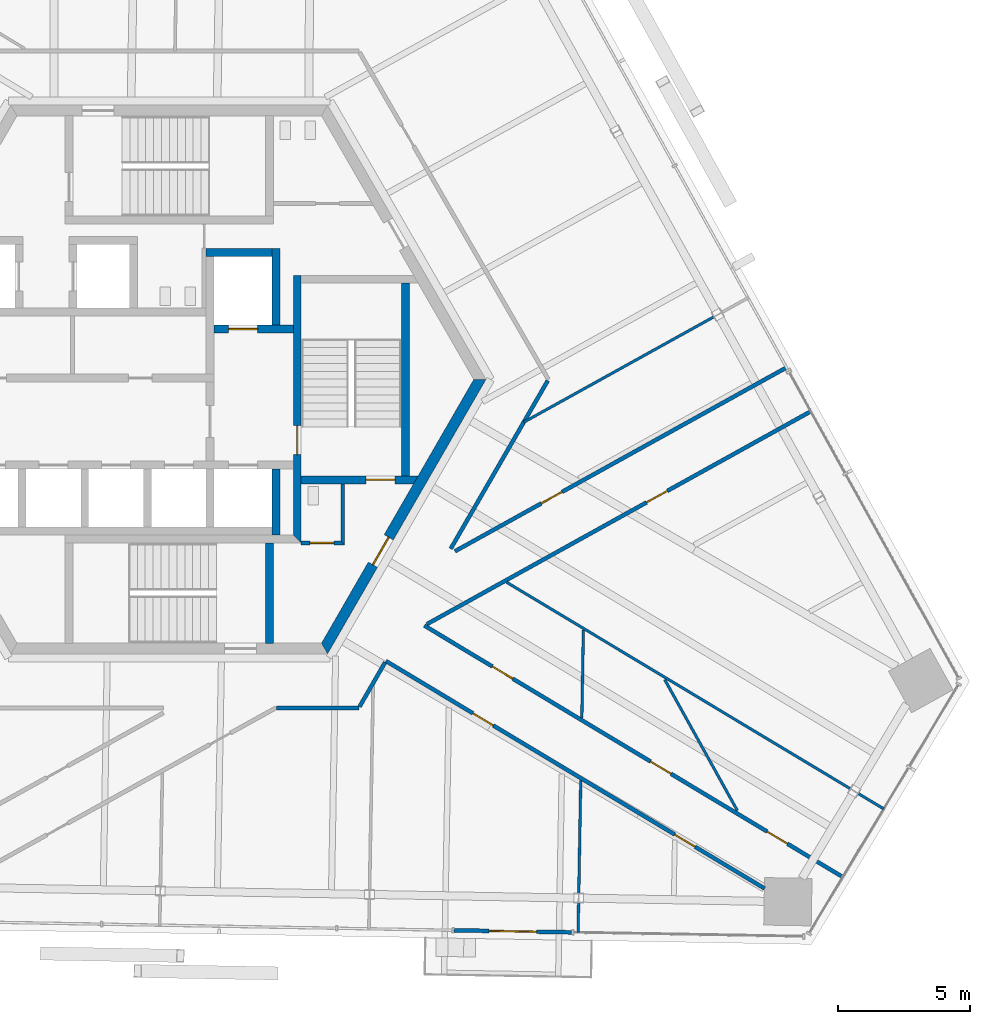
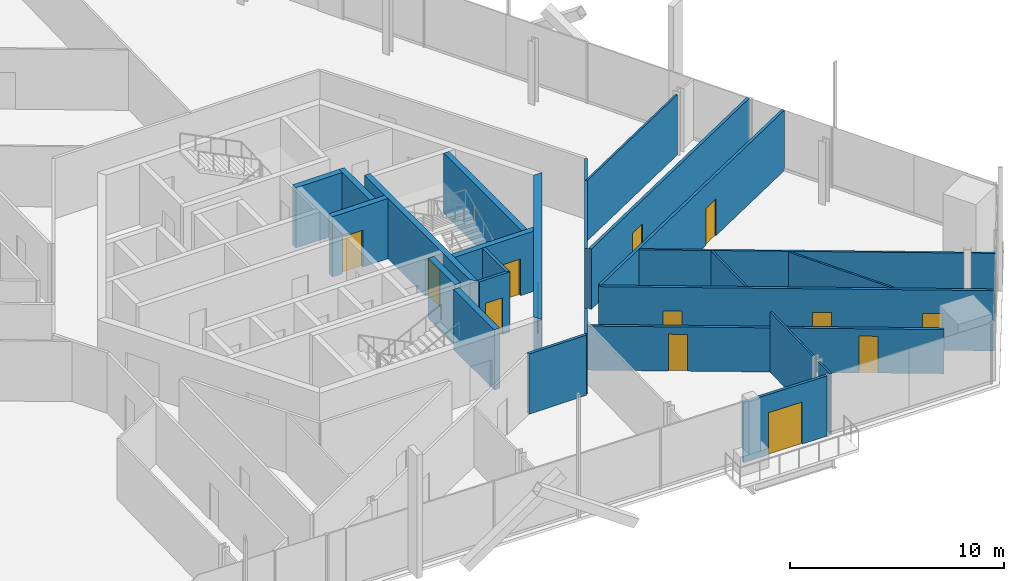
# One storey, part 13 of 20: 26 walls, 13 doors, 13 openings.
"""IFC4 building model written with IfcOpenShell, lengths in metres."""

import ifcopenshell
import ifcopenshell.guid

model = None  # the IFC model being written
_history = None  # IfcOwnerHistory: only IFC2X3 demands one
_inside = {}  # id of a spatial element -> (the spatial element, [elements in it])
_under = {}  # id of a project, library or spatial element -> (it, [spatial elements below it])
_declared = {}  # id of a project -> (the project, [libraries it declares])
_typed = {}  # id of a type object -> (the type object, [elements of that type])
_made_of = {}  # id of a material, layer set ... -> (it, [elements and type objects made of it])


def new_model(schema):
    """Start an empty IFC model of exactly this schema.

    Asked for "IFC4X3", IfcOpenShell would pick the latest addendum, in which some entities
    have other attributes; the version numbers below select the first issue.
    IFC2X3 requires an IfcOwnerHistory on every rooted entity: one is made here for all.
    """
    global model, _history
    if schema == "IFC4X3":
        model = ifcopenshell.file(schema_version=(4, 3, 0, 0))
    else:
        model = ifcopenshell.file(schema=schema)
    _inside.clear()
    _under.clear()
    _declared.clear()
    _typed.clear()
    _made_of.clear()
    _history = None
    if model.schema == "IFC2X3":
        org = make("IfcOrganization", Name="unknown")
        user = make(
            "IfcPersonAndOrganization",
            ThePerson=make("IfcPerson", FamilyName="unknown"),
            TheOrganization=org,
        )
        app = make(
            "IfcApplication",
            ApplicationDeveloper=org,
            Version="unknown",
            ApplicationFullName="unknown",
            ApplicationIdentifier="unknown",
        )
        _history = make(
            "IfcOwnerHistory",
            OwningUser=user,
            OwningApplication=app,
            ChangeAction="ADDED",
            CreationDate=0,
        )
    return model


def make(cls, **values):
    """One entity of the class cls with the attributes given. An attribute that is None is left unset."""
    return model.create_entity(
        cls, **{name: value for name, value in values.items() if value is not None}
    )


def rooted(cls, **values):
    """An entity with a GlobalId (a new one), such as an element, a storey or a relation."""
    return make(cls, GlobalId=ifcopenshell.guid.new(), OwnerHistory=_history, **values)


def si_unit(unit_type, name, prefix=None):
    """IfcSIUnit, for example si_unit("LENGTHUNIT", "METRE", prefix="MILLI")."""
    return make("IfcSIUnit", UnitType=unit_type, Prefix=prefix, Name=name)


def assignment(units):
    """IfcUnitAssignment: the units of a project."""
    return None if units is None else make("IfcUnitAssignment", Units=units)


def point(xyz):
    """IfcCartesianPoint."""
    return None if xyz is None else make("IfcCartesianPoint", Coordinates=xyz)


def direction(xyz):
    """IfcDirection."""
    return None if xyz is None else make("IfcDirection", DirectionRatios=xyz)


def frame(location, z_axis=None, x_axis=None):
    """IfcAxis2Placement3D, a coordinate frame: its origin and axes. An axis left out is left unset."""
    return make(
        "IfcAxis2Placement3D",
        Location=point(location),
        Axis=direction(z_axis),
        RefDirection=direction(x_axis),
    )


def frame_2d(location, x_axis=None):
    """IfcAxis2Placement2D, a coordinate frame in the plane: its origin and x axis."""
    return make(
        "IfcAxis2Placement2D", Location=point(location), RefDirection=direction(x_axis)
    )


def origin():
    """The frame at (0, 0, 0) with its axes left unset."""
    return frame((0.0, 0.0, 0.0))


def place(relative_to, where):
    """IfcLocalPlacement: puts the frame where relative to a parent placement (None: the world)."""
    return make(
        "IfcLocalPlacement", PlacementRelTo=relative_to, RelativePlacement=where
    )


def context(
    kind, dimensions, precision=None, world=None, true_north=None, identifier=None
):
    """IfcGeometricRepresentationContext, for example the 3D "Model" context."""
    return make(
        "IfcGeometricRepresentationContext",
        ContextIdentifier=identifier,
        ContextType=kind,
        CoordinateSpaceDimension=dimensions,
        Precision=precision,
        WorldCoordinateSystem=world,
        TrueNorth=true_north,
    )


def subcontext(parent, identifier, kind, view, scale=None):
    """IfcGeometricRepresentationSubContext, for example "Body" below "Model"."""
    return make(
        "IfcGeometricRepresentationSubContext",
        ContextIdentifier=identifier,
        ContextType=kind,
        ParentContext=parent,
        TargetScale=scale,
        TargetView=view,
    )


def project(units=None, contexts=None):
    """IfcProject with its units and contexts."""
    return rooted(
        "IfcProject",
        Name="project",
        RepresentationContexts=contexts,
        UnitsInContext=assignment(units),
    )


def spatial(cls, under=None, at=None, **own):
    """A site, building, storey or space (cls), placed at a placement, below another one or the project."""
    s = rooted(cls, ObjectPlacement=at, **own)
    if under is not None:
        _under.setdefault(under.id(), (under, []))[1].append(s)
    return s


def polyline(points):
    """IfcPolyline through the points."""
    return make("IfcPolyline", Points=[point(p) for p in points])


def profile(cls, at=None, kind="AREA", **sizes):
    """A parametric profile (cls). Its sizes go by their IFC names, for example OverallWidth=200.0."""
    return make(cls, ProfileType=kind, Position=at, **sizes)


def rectangle(**sizes):
    """IfcRectangleProfileDef."""
    return profile("IfcRectangleProfileDef", **sizes)


def outline(outer, holes=None, kind="AREA"):
    """IfcArbitraryClosedProfileDef: a profile drawn as a closed curve; with holes, ...WithVoids."""
    if holes is None:
        return make("IfcArbitraryClosedProfileDef", ProfileType=kind, OuterCurve=outer)
    return make(
        "IfcArbitraryProfileDefWithVoids",
        ProfileType=kind,
        OuterCurve=outer,
        InnerCurves=holes,
    )


def extrude(swept, where, along, depth):
    """IfcExtrudedAreaSolid: the profile swept, set in the frame where, extruded along a direction by depth."""
    return make(
        "IfcExtrudedAreaSolid",
        SweptArea=swept,
        Position=where,
        ExtrudedDirection=direction(along),
        Depth=depth,
    )


def shape(context_of_items, identifier, shape_type, items):
    """IfcShapeRepresentation: the items that make up one representation, for example the "Body"."""
    return make(
        "IfcShapeRepresentation",
        ContextOfItems=context_of_items,
        RepresentationIdentifier=identifier,
        RepresentationType=shape_type,
        Items=items,
    )


def source(mapping_origin, context_of_items, identifier, shape_type, items):
    """IfcRepresentationMap: a shape defined once, which mapped items show again and again."""
    return make(
        "IfcRepresentationMap",
        MappingOrigin=mapping_origin,
        MappedRepresentation=shape(context_of_items, identifier, shape_type, items),
    )


def transform(
    local_origin,
    x_axis=None,
    y_axis=None,
    z_axis=None,
    scale=None,
    scale2=None,
    scale3=None,
    uniform=True,
):
    """IfcCartesianTransformationOperator3D, or its non-uniform kind. x_axis, y_axis, z_axis: its Axis1, 2, 3."""
    if uniform:
        return make(
            "IfcCartesianTransformationOperator3D",
            Axis1=direction(x_axis),
            Axis2=direction(y_axis),
            LocalOrigin=point(local_origin),
            Scale=scale,
            Axis3=direction(z_axis),
        )
    return make(
        "IfcCartesianTransformationOperator3DnonUniform",
        Axis1=direction(x_axis),
        Axis2=direction(y_axis),
        LocalOrigin=point(local_origin),
        Scale=scale,
        Axis3=direction(z_axis),
        Scale2=scale2,
        Scale3=scale3,
    )


def mapped(mapping_source, mapping_target):
    """IfcMappedItem: shows the shape of a source again, moved by a transform."""
    return make(
        "IfcMappedItem", MappingSource=mapping_source, MappingTarget=mapping_target
    )


def material(Name=None, Category=None):
    """IfcMaterial."""
    return make("IfcMaterial", Name=Name, Category=Category)


def layer(
    of_material, thickness, ventilated=None, Name=None, Category=None, Priority=None
):
    """IfcMaterialLayer: one layer of a wall or slab, of a material (None: an air gap)."""
    return make(
        "IfcMaterialLayer",
        Material=of_material,
        LayerThickness=thickness,
        IsVentilated=ventilated,
        Name=Name,
        Category=Category,
        Priority=Priority,
    )


def layer_set(layers, Name=None):
    """IfcMaterialLayerSet."""
    return make("IfcMaterialLayerSet", MaterialLayers=layers, LayerSetName=Name)


def made_of(thing, what):
    """Note that an element or type object is made of a material, layer set ...; save() writes the relation."""
    if what is not None:
        _made_of.setdefault(what.id(), (what, []))[1].append(thing)
    return thing


def type_object(cls, material=None, **own):
    """A type object (cls), such as IfcWallType, which elements share."""
    return made_of(rooted(cls, **own), material)


def element(
    cls,
    number,
    at=None,
    inside=None,
    cuts=None,
    type_object=None,
    material=None,
    context=None,
    identifier="Body",
    shape_type=None,
    held_by="IfcProductDefinitionShape",
    body=None,
    shapes=None,
    **own,
):
    """One element of the class cls, such as IfcWall. Its Tag is "e" and its number.

    at: its placement. inside: the storey or other place that contains it. cuts: it is an
    opening in that element (IfcRelVoidsElement). A single representation is given by context,
    identifier, shape_type and body (its items); several are given by shapes. held_by: the class
    of the entity that holds the representations. save() writes the other relations.
    """
    e = rooted(cls, Tag="e%d" % number, ObjectPlacement=at, **own)
    if body is not None:
        shapes = [shape(context, identifier, shape_type, body)]
    if shapes is not None:
        e.Representation = make(held_by, Representations=shapes)
    if inside is not None:
        _inside.setdefault(inside.id(), (inside, []))[1].append(e)
    if cuts is not None:
        rooted(
            "IfcRelVoidsElement", RelatingBuildingElement=cuts, RelatedOpeningElement=e
        )
    if type_object is not None:
        _typed.setdefault(type_object.id(), (type_object, []))[1].append(e)
    return made_of(e, material)


def fill(opening, filler):
    """IfcRelFillsElement: the door or window that sits in an opening."""
    return rooted(
        "IfcRelFillsElement",
        RelatingOpeningElement=opening,
        RelatedBuildingElement=filler,
    )


def aggregate(whole, parts):
    """IfcRelAggregates: a whole, such as a stair, and the parts it consists of."""
    return rooted("IfcRelAggregates", RelatingObject=whole, RelatedObjects=parts)


def save(model, path):
    """Write the relations noted so far, then the file.

    IfcRelAggregates (storeys below a building ...), IfcRelContainedInSpatialStructure (elements
    in a storey), IfcRelDefinesByType, IfcRelAssociatesMaterial and IfcRelDeclares: one each for
    every whole, place, type object, material and project.
    """
    for whole, parts in _under.values():
        aggregate(whole, parts)
    for where, things in _inside.values():
        rooted(
            "IfcRelContainedInSpatialStructure",
            RelatedElements=things,
            RelatingStructure=where,
        )
    for kind, things in _typed.values():
        rooted("IfcRelDefinesByType", RelatedObjects=things, RelatingType=kind)
    for what, things in _made_of.values():
        rooted("IfcRelAssociatesMaterial", RelatedObjects=things, RelatingMaterial=what)
    for by, libraries in _declared.values():
        rooted("IfcRelDeclares", RelatingContext=by, RelatedDefinitions=libraries)
    model.write(path)


model = new_model("IFC4")

# Units and contexts
model_context = context("Model", 3, precision=1e-05, world=origin(), true_north=direction((0.0, 1.0)))
body_context = subcontext(model_context, "Body", "Model", "MODEL_VIEW")
ifc_project = project(units=[si_unit("LENGTHUNIT", "METRE"), si_unit("AREAUNIT", "SQUARE_METRE"), si_unit("VOLUMEUNIT", "CUBIC_METRE"), si_unit("PLANEANGLEUNIT", "RADIAN"), si_unit("MASSUNIT", "GRAM", prefix="KILO")], contexts=[model_context])

# Site, building, storey
site_placement = place(None, origin())
site = spatial("IfcSite", under=ifc_project, at=site_placement, CompositionType="ELEMENT")
building_placement = place(site_placement, origin())
building = spatial("IfcBuilding", under=site, at=building_placement, Name="Triune Harvest Tower", CompositionType="ELEMENT")
storey_placement = place(building_placement, frame((0.0, 0.0, 194.300048828125)))
storey = spatial("IfcBuildingStorey", under=building, at=storey_placement, Name="L50", CompositionType="ELEMENT", Elevation=194.300048828125)

# Wall, openings, doors
ifc_material_1 = material(Name="Gypsum board on steel studs", Category="steel")
ifc_layer_1 = layer(ifc_material_1, 0.14990234375)
ifc_layer_set_1 = layer_set([ifc_layer_1], Name="Gypsum board on steel studs")
wall_type_1 = type_object("IfcWallType", Name="Fire Partition 150 mm", PredefinedType="PARTITIONING", material=ifc_layer_set_1)
wall_1_placement = place(storey_placement, frame((9.666015625, -9.32373046875, 0.0), z_axis=(0.0, 0.0, 1.0), x_axis=(0.857163175552, -0.51504494025, 0.0)))
wall_1 = element("IfcWall", 1, at=wall_1_placement, inside=storey, type_object=wall_type_1, Name="Partition L50 010", PredefinedType="PARTITIONING", context=body_context, shape_type="SweptSolid", body=[
    extrude(rectangle(XDim=18.49755859375, YDim=0.14990234375, at=frame_2d((9.248779296875, 0.0))), origin(), (0.0, 0.0, 1.0), 3.43994140625),
])
opening_1_placement = place(wall_1_placement, frame((3.009765625, 0.0, 0.0)))
opening_1 = element("IfcOpeningElement", 2, at=opening_1_placement, cuts=wall_1, Name="Opening L50-017", PredefinedType="OPENING", context=body_context, shape_type="SweptSolid", body=[
    extrude(rectangle(XDim=0.89990234375, YDim=2.10009765625, at=frame_2d((0.449951171875, 1.050048828125))), frame((0.0, 0.0849609375, 0.0), z_axis=(0.0, -1.0, 0.0), x_axis=(1.0, 0.0, 0.0)), (0.0, 0.0, 1.0), 0.169921875),
])
opening_2_placement = place(wall_1_placement, frame((9.998291015625, 0.0, 0.0)))
opening_2 = element("IfcOpeningElement", 3, at=opening_2_placement, cuts=wall_1, Name="Opening L50-018", PredefinedType="OPENING", context=body_context, shape_type="SweptSolid", body=[
    extrude(rectangle(XDim=0.89990234375, YDim=2.10009765625, at=frame_2d((0.449951171875, 1.050048828125))), frame((0.0, 0.0849609375, 0.0), z_axis=(0.0, -1.0, 0.0), x_axis=(1.0, 0.0, 0.0)), (0.0, 0.0, 1.0), 0.169921875),
])
opening_3_placement = place(wall_1_placement, frame((15.147705078125, 0.0, 0.0)))
opening_3 = element("IfcOpeningElement", 4, at=opening_3_placement, cuts=wall_1, Name="Opening L50-020", PredefinedType="OPENING", context=body_context, shape_type="SweptSolid", body=[
    extrude(rectangle(XDim=0.89990234375, YDim=2.10009765625, at=frame_2d((0.449951171875, 1.050048828125))), frame((0.0, 0.0849609375, 0.0), z_axis=(0.0, -1.0, 0.0), x_axis=(1.0, 0.0, 0.0)), (0.0, 0.0, 1.0), 0.169921875),
])
ifc_material_2 = material(Name="Timber and steel door set", Category="steel")
door_type_1 = type_object("IfcDoorType", Name="Single leaf door FD30 left hand 900 x 2100", OperationType="SINGLE_SWING_LEFT", PredefinedType="DOOR", material=ifc_material_2)
door_1_placement = place(opening_1_placement, origin())
door_1 = element("IfcDoor", 5, at=door_1_placement, inside=storey, type_object=door_type_1, Name="Door L50-017 Open Office 50.17", OperationType="SINGLE_SWING_LEFT", OverallHeight=2.10009765625, OverallWidth=0.89990234375, PredefinedType="DOOR", context=body_context, shape_type="SweptSolid", body=[
    extrude(rectangle(XDim=0.89990234375, YDim=2.10009765625, at=frame_2d((0.449951171875, 1.050048828125))), frame((0.0, 0.02490234375, 0.0), z_axis=(0.0, -1.0, 0.0), x_axis=(1.0, 0.0, 0.0)), (0.0, 0.0, 1.0), 0.050048828125),
])
fill(opening_1, door_1)
ifc_material_3 = material(Name="Timber and steel door set", Category="steel")
door_type_2 = type_object("IfcDoorType", Name="Single leaf door FD30 right hand 900 x 2100", OperationType="SINGLE_SWING_RIGHT", PredefinedType="DOOR", material=ifc_material_3)
door_2_placement = place(opening_2_placement, origin())
door_2 = element("IfcDoor", 6, at=door_2_placement, inside=storey, type_object=door_type_2, Name="Door L50-018 Dry Store Room 50.18", OperationType="SINGLE_SWING_RIGHT", OverallHeight=2.10009765625, OverallWidth=0.89990234375, PredefinedType="DOOR", context=body_context, shape_type="SweptSolid", body=[
    extrude(rectangle(XDim=0.89990234375, YDim=2.10009765625, at=frame_2d((0.449951171875, 1.050048828125))), frame((0.0, 0.02490234375, 0.0), z_axis=(0.0, -1.0, 0.0), x_axis=(1.0, 0.0, 0.0)), (0.0, 0.0, 1.0), 0.050048828125),
])
fill(opening_2, door_2)
door_3_placement = place(opening_3_placement, origin())
door_3 = element("IfcDoor", 7, at=door_3_placement, inside=storey, type_object=door_type_2, Name="Door L50-020 Open Office 50.20", OperationType="SINGLE_SWING_RIGHT", OverallHeight=2.10009765625, OverallWidth=0.89990234375, PredefinedType="DOOR", context=body_context, shape_type="SweptSolid", body=[
    extrude(rectangle(XDim=0.89990234375, YDim=2.10009765625, at=frame_2d((0.449951171875, 1.050048828125))), frame((0.0, 0.02490234375, 0.0), z_axis=(0.0, -1.0, 0.0), x_axis=(1.0, 0.0, 0.0)), (0.0, 0.0, 1.0), 0.050048828125),
])
fill(opening_3, door_3)

# Wall, opening, door
wall_2_placement = place(storey_placement, frame((9.76220703125, -9.2705078125, 0.0), z_axis=(0.0, 0.0, 1.0), x_axis=(0.874617301304, 0.484813960462, 0.0)))
wall_2 = element("IfcWall", 8, at=wall_2_placement, inside=storey, type_object=wall_type_1, Name="Partition L50 023", PredefinedType="PARTITIONING", context=body_context, shape_type="SweptSolid", body=[
    extrude(rectangle(XDim=16.633056640625, YDim=0.14990234375, at=frame_2d((8.31640625, 0.0))), origin(), (0.0, 0.0, 1.0), 3.43994140625),
])
opening_4_placement = place(wall_2_placement, frame((9.519775390625, 0.0, 0.0)))
opening_4 = element("IfcOpeningElement", 9, at=opening_4_placement, cuts=wall_2, Name="Opening L50-002", PredefinedType="OPENING", context=body_context, shape_type="SweptSolid", body=[
    extrude(rectangle(XDim=0.89990234375, YDim=2.10009765625, at=frame_2d((0.449951171875, 1.050048828125))), frame((0.0, 0.0849609375, 0.0), z_axis=(0.0, -1.0, 0.0), x_axis=(1.0, 0.0, 0.0)), (0.0, 0.0, 1.0), 0.169921875),
])
door_4_placement = place(opening_4_placement, origin())
door_4 = element("IfcDoor", 10, at=door_4_placement, inside=storey, type_object=door_type_1, Name="Door L50-002 Office 50.02", OperationType="SINGLE_SWING_LEFT", OverallHeight=2.10009765625, OverallWidth=0.89990234375, PredefinedType="DOOR", context=body_context, shape_type="SweptSolid", body=[
    extrude(rectangle(XDim=0.89990234375, YDim=2.10009765625, at=frame_2d((0.449951171875, 1.050048828125))), frame((0.0, 0.02490234375, 0.0), z_axis=(0.0, -1.0, 0.0), x_axis=(1.0, 0.0, 0.0)), (0.0, 0.0, 1.0), 0.050048828125),
])
fill(opening_4, door_4)

# Walls
wall_3_placement = place(storey_placement, frame((7.20849609375, -12.39892578125, 0.0), z_axis=(0.0, 0.0, 1.0), x_axis=(0.50001992892, 0.866013897511, 0.0)))
element("IfcWall", 11, at=wall_3_placement, inside=storey, type_object=wall_type_1, Name="Partition L50 030", PredefinedType="PARTITIONING", context=body_context, shape_type="SweptSolid", body=[
    extrude(rectangle(XDim=1.94189453125, YDim=0.14990234375, at=frame_2d((0.970947265625, 0.0))), origin(), (0.0, 0.0, 1.0), 3.43994140625),
])
wall_4_placement = place(storey_placement, frame((10.665283203125, -6.411865234375, 0.0), z_axis=(0.0, 0.0, 1.0), x_axis=(0.499981098153, 0.866036316496, 0.0)))
element("IfcWall", 12, at=wall_4_placement, inside=storey, type_object=wall_type_1, Name="Partition L50 031", PredefinedType="PARTITIONING", context=body_context, shape_type="SweptSolid", body=[
    extrude(rectangle(XDim=7.353759765625, YDim=0.14990234375, at=frame_2d((3.6767578125, 0.0))), origin(), (0.0, 0.0, 1.0), 3.43994140625),
])
ifc_material_4 = material(Name="Gypsum board on steel studs", Category="steel")
ifc_layer_2 = layer(ifc_material_4, 0.10009765625)
ifc_layer_set_2 = layer_set([ifc_layer_2], Name="Gypsum board on steel studs")
wall_type_2 = type_object("IfcWallType", Name="Partition 100 mm", PredefinedType="PARTITIONING", material=ifc_layer_set_2)
wall_5_placement = place(storey_placement, frame((18.772705078125, -11.367431640625, 0.0), z_axis=(0.0, 0.0, 1.0), x_axis=(0.484824835032, -0.874611273273, 0.0)))
element("IfcWall", 13, at=wall_5_placement, inside=storey, type_object=wall_type_2, Name="Partition L50 001", PredefinedType="PARTITIONING", context=body_context, shape_type="SweptSolid", body=[
    extrude(rectangle(XDim=5.67724609375, YDim=0.10009765625, at=frame_2d((2.838623046875, 0.0))), origin(), (0.0, 0.0, 1.0), 3.43994140625),
])
wall_6_placement = place(storey_placement, frame((12.78662109375, -7.68310546875, 0.0), z_axis=(0.0, 0.0, 1.0), x_axis=(0.857170922582, -0.515032047042, 0.0)))
element("IfcWall", 14, at=wall_6_placement, inside=storey, type_object=wall_type_2, Name="Partition L50 013", PredefinedType="PARTITIONING", context=body_context, shape_type="SweptSolid", body=[
    extrude(rectangle(XDim=15.194091796875, YDim=0.10009765625, at=frame_2d((7.59716796875, 0.0))), origin(), (0.0, 0.0, 1.0), 3.43994140625),
])
wall_7_placement = place(storey_placement, frame((15.51708984375, -19.47705078125, 0.0), z_axis=(0.0, 0.0, 1.0), x_axis=(0.017430269064, 0.999848081321, 0.0)))
element("IfcWall", 15, at=wall_7_placement, inside=storey, type_object=wall_type_2, Name="Partition L50 035", PredefinedType="PARTITIONING", context=body_context, shape_type="SweptSolid", body=[
    extrude(rectangle(XDim=4.2861328125, YDim=0.10009765625, at=frame_2d((2.14306640625, 0.0))), origin(), (0.0, 0.0, 1.0), 3.43994140625),
])
wall_8_placement = place(storey_placement, frame((15.63330078125, -12.818359375, 0.0), z_axis=(0.0, 0.0, 1.0), x_axis=(0.01742766831, 0.999848126656, 0.0)))
element("IfcWall", 16, at=wall_8_placement, inside=storey, type_object=wall_type_2, Name="Partition L50 036", PredefinedType="PARTITIONING", context=body_context, shape_type="SweptSolid", body=[
    extrude(rectangle(XDim=3.320068359375, YDim=0.10009765625, at=frame_2d((1.66015625, 0.0))), origin(), (0.0, 0.0, 1.0), 3.43994140625),
])

# Wall, opening, door
ifc_material_5 = material(Name="Concrete 70 MPa", Category="concrete")
ifc_layer_3 = layer(ifc_material_5, 0.39990234375)
ifc_layer_set_3 = layer_set([ifc_layer_3], Name="Concrete 70 MPa")
wall_type_3 = type_object("IfcWallType", Name="Core wall 400", PredefinedType="SHEAR", material=ifc_layer_set_3)
shared_shape_1 = source(origin(), body_context, "Body", "SweptSolid", [
    extrude(outline(polyline([(-0.115478515625, -0.199951171875), (11.884521484375, -0.199951171875), (11.653564453125, 0.199951171875), (0.115478515625, 0.199951171875), (-0.115478515625, -0.199951171875)])), origin(), (0.0, 0.0, 1.0), 3.43994140625),
])
wall_9_placement = place(storey_placement, frame((5.884521484375, -10.1923828125, 0.0), z_axis=(0.0, 0.0, 1.0), x_axis=(0.499996592174, 0.866027371285, 0.0)))
wall_9 = element("IfcWall", 17, at=wall_9_placement, inside=storey, type_object=wall_type_3, Name="Hexagon 5 wall", PredefinedType="SHEAR", context=body_context, shape_type="MappedRepresentation", body=[
    mapped(shared_shape_1, transform((0.0, 0.0, 0.0), scale=1.0)),
])
opening_5_placement = place(wall_9_placement, frame((3.66455078125, 0.0, 0.0)))
opening_5 = element("IfcOpeningElement", 18, at=opening_5_placement, cuts=wall_9, Name="Opening CD-DP", PredefinedType="OPENING", context=body_context, shape_type="SweptSolid", body=[
    extrude(rectangle(XDim=1.199951171875, YDim=2.10009765625, at=frame_2d((0.60009765625, 1.050048828125))), frame((0.0, 0.2099609375, 0.0), z_axis=(0.0, -1.0, 0.0), x_axis=(1.0, 0.0, 0.0)), (0.0, 0.0, 1.0), 0.419921875),
])
ifc_material_6 = material(Name="Steel S235", Category="steel")
door_type_3 = type_object("IfcDoorType", Name="Stair door 1200 FD120", OperationType="SINGLE_SWING_LEFT", PredefinedType="DOOR", material=ifc_material_6)
door_5_placement = place(opening_5_placement, frame((1.199951171875, 0.0, 0.0), z_axis=(0.0, 0.0, 1.0), x_axis=(-1.0, 0.0, 0.0)))
door_5 = element("IfcDoor", 19, at=door_5_placement, inside=storey, type_object=door_type_3, Name="Door CD-DP", OperationType="SINGLE_SWING_RIGHT", OverallHeight=2.10009765625, OverallWidth=1.199951171875, PredefinedType="DOOR", context=body_context, shape_type="SweptSolid", body=[
    extrude(rectangle(XDim=1.199951171875, YDim=2.10009765625, at=frame_2d((0.60009765625, 1.050048828125))), frame((0.0, 0.02490234375, 0.0), z_axis=(0.0, -1.0, 0.0), x_axis=(1.0, 0.0, 0.0)), (0.0, 0.0, 1.0), 0.050048828125),
])
fill(opening_5, door_5)

# Walls
ifc_material_7 = material(Name="Concrete 70 MPa", Category="concrete")
ifc_layer_4 = layer(ifc_material_7, 0.300048828125)
ifc_layer_set_4 = layer_set([ifc_layer_4], Name="Concrete 70 MPa")
wall_type_4 = type_object("IfcWallType", Name="Core wall 300", PredefinedType="SHEAR", material=ifc_layer_set_4)
shared_shape_2 = source(origin(), body_context, "Body", "SweptSolid", [
    extrude(rectangle(XDim=2.5, YDim=0.300048828125, at=frame_2d((1.25, 0.0))), origin(), (0.0, 0.0, 1.0), 3.43994140625),
])
for number, where, z_axis, x_axis, name in (
    (20, (1.39990234375, 4.81005859375, 0.0), (0.0, 0.0, 1.0), (1.0, 0.0, 0.0), "Ff1 back wall"),
    (21, (4.050048828125, -5.889892578125, 0.0), (0.0, 0.0, 1.0), (0.0, 1.0, 0.0), "Ff2 east wall"),
):
    element("IfcWall", number, at=place(storey_placement, frame(where, z_axis=z_axis, x_axis=x_axis)), inside=storey, type_object=wall_type_4, Name=name, PredefinedType="SHEAR", context=body_context, shape_type="MappedRepresentation", body=[
        mapped(shared_shape_2, transform((0.0, 0.0, 0.0), scale=1.0)),
    ])

# Wall, opening, door
shared_shape_3 = source(origin(), body_context, "Body", "SweptSolid", [
    extrude(rectangle(XDim=3.0, YDim=0.300048828125, at=frame_2d((1.5, 0.0))), origin(), (0.0, 0.0, 1.0), 3.43994140625),
])
wall_10_placement = place(storey_placement, frame((1.699951171875, 1.909912109375, 0.0), z_axis=(0.0, 0.0, 1.0), x_axis=(1.0, 0.0, 0.0)))
wall_10 = element("IfcWall", 22, at=wall_10_placement, inside=storey, type_object=wall_type_4, Name="Ff1 front wall", PredefinedType="SHEAR", context=body_context, shape_type="MappedRepresentation", body=[
    mapped(shared_shape_3, transform((0.0, 0.0, 0.0), scale=1.0)),
])
opening_6_placement = place(wall_10_placement, frame((0.550048828125, 0.0, 0.0)))
opening_6 = element("IfcOpeningElement", 23, at=opening_6_placement, cuts=wall_10, Name="Opening LD-FF1-50", PredefinedType="OPENING", context=body_context, shape_type="SweptSolid", body=[
    extrude(rectangle(XDim=1.10009765625, YDim=2.10009765625, at=frame_2d((0.550048828125, 1.050048828125))), frame((0.0, 0.16015625, 0.0), z_axis=(0.0, -1.0, 0.0), x_axis=(1.0, 0.0, 0.0)), (0.0, 0.0, 1.0), 0.320068359375),
])
ifc_material_8 = material(Name="Stainless steel AISI 304", Category="steel")
door_type_4 = type_object("IfcDoorType", Name="Landing door 1100 x 2100", OperationType="DOUBLE_DOOR_SLIDING", PredefinedType="DOOR", material=ifc_material_8)
door_6_placement = place(opening_6_placement, origin())
door_6 = element("IfcDoor", 24, at=door_6_placement, inside=storey, type_object=door_type_4, Name="Door LD-FF1-50", OperationType="DOUBLE_DOOR_SLIDING", OverallHeight=2.10009765625, OverallWidth=1.10009765625, PredefinedType="DOOR", context=body_context, shape_type="SweptSolid", body=[
    extrude(rectangle(XDim=1.10009765625, YDim=2.10009765625, at=frame_2d((0.550048828125, 1.050048828125))), frame((0.0, 0.02490234375, 0.0), z_axis=(0.0, -1.0, 0.0), x_axis=(1.0, 0.0, 0.0)), (0.0, 0.0, 1.0), 0.050048828125),
])
fill(opening_6, door_6)

# Wall
shared_shape_4 = source(origin(), body_context, "Body", "SweptSolid", [
    extrude(rectangle(XDim=2.89990234375, YDim=0.300048828125, at=frame_2d((1.449951171875, 0.0))), origin(), (0.0, 0.0, 1.0), 3.43994140625),
])
wall_11_placement = place(storey_placement, frame((4.050048828125, 2.06005859375, 0.0), z_axis=(0.0, 0.0, 1.0), x_axis=(0.0, 1.0, 0.0)))
element("IfcWall", 25, at=wall_11_placement, inside=storey, type_object=wall_type_4, Name="Ff1 east wall", PredefinedType="SHEAR", context=body_context, shape_type="MappedRepresentation", body=[
    mapped(shared_shape_4, transform((0.0, 0.0, 0.0), scale=1.0)),
])

# Wall, opening, door
shared_shape_5 = source(origin(), body_context, "Body", "SweptSolid", [
    extrude(outline(polyline([(-0.14990234375, -0.14990234375), (9.989990234375, -0.14990234375), (9.989990234375, 0.14990234375), (0.14990234375, 0.14990234375), (-0.14990234375, -0.14990234375)])), origin(), (0.0, 0.0, 1.0), 3.43994140625),
])
wall_12_placement = place(storey_placement, frame((4.85009765625, -6.0400390625, 0.0), z_axis=(0.0, 0.0, 1.0), x_axis=(0.0, 1.0, 0.0)))
wall_12 = element("IfcWall", 26, at=wall_12_placement, inside=storey, type_object=wall_type_4, Name="Stair e west wall", PredefinedType="SHEAR", context=body_context, shape_type="MappedRepresentation", body=[
    mapped(shared_shape_5, transform((0.0, 0.0, 0.0), scale=1.0)),
])
opening_7_placement = place(wall_12_placement, frame((3.18994140625, 0.0, 0.0)))
opening_7 = element("IfcOpeningElement", 27, at=opening_7_placement, cuts=wall_12, Name="Opening CD-S3L", PredefinedType="OPENING", context=body_context, shape_type="SweptSolid", body=[
    extrude(rectangle(XDim=1.10009765625, YDim=2.10009765625, at=frame_2d((0.550048828125, 1.050048828125))), frame((0.0, 0.16015625, 0.0), z_axis=(0.0, -1.0, 0.0), x_axis=(1.0, 0.0, 0.0)), (0.0, 0.0, 1.0), 0.320068359375),
])
ifc_material_9 = material(Name="Steel S235", Category="steel")
door_type_5 = type_object("IfcDoorType", Name="Stair door 1100 FD120", OperationType="SINGLE_SWING_LEFT", PredefinedType="DOOR", material=ifc_material_9)
door_7_placement = place(opening_7_placement, frame((1.10009765625, 0.0, 0.0), z_axis=(0.0, 0.0, 1.0), x_axis=(-1.0, 0.0, 0.0)))
door_7 = element("IfcDoor", 28, at=door_7_placement, inside=storey, type_object=door_type_5, Name="Door CD-S3L", OperationType="SINGLE_SWING_RIGHT", OverallHeight=2.10009765625, OverallWidth=1.10009765625, PredefinedType="DOOR", context=body_context, shape_type="SweptSolid", body=[
    extrude(rectangle(XDim=1.10009765625, YDim=2.10009765625, at=frame_2d((0.550048828125, 1.050048828125))), frame((0.0, 0.02490234375, 0.0), z_axis=(0.0, -1.0, 0.0), x_axis=(1.0, 0.0, 0.0)), (0.0, 0.0, 1.0), 0.050048828125),
])
fill(opening_7, door_7)

shared_shape_6 = source(origin(), body_context, "Body", "SweptSolid", [
    extrude(outline(polyline([(0.0, -0.14990234375), (0.0, 0.14990234375), (4.43310546875, 0.14990234375), (4.260009765625, -0.14990234375), (0.0, -0.14990234375)])), origin(), (0.0, 0.0, 1.0), 3.43994140625),
])
wall_13_placement = place(storey_placement, frame((5.0, -3.800048828125, 0.0), z_axis=(0.0, 0.0, 1.0), x_axis=(1.0, 0.0, 0.0)))
wall_13 = element("IfcWall", 29, at=wall_13_placement, inside=storey, type_object=wall_type_4, Name="Stair e south wall", PredefinedType="SHEAR", context=body_context, shape_type="MappedRepresentation", body=[
    mapped(shared_shape_6, transform((0.0, 0.0, 0.0), scale=1.0)),
])
opening_8_placement = place(wall_13_placement, frame((2.449951171875, 0.0, 0.0)))
opening_8 = element("IfcOpeningElement", 30, at=opening_8_placement, cuts=wall_13, Name="Opening CD-S3D", PredefinedType="OPENING", context=body_context, shape_type="SweptSolid", body=[
    extrude(rectangle(XDim=1.10009765625, YDim=2.10009765625, at=frame_2d((0.550048828125, 1.050048828125))), frame((0.0, 0.16015625, 0.0), z_axis=(0.0, -1.0, 0.0), x_axis=(1.0, 0.0, 0.0)), (0.0, 0.0, 1.0), 0.320068359375),
])
door_8_placement = place(opening_8_placement, frame((1.10009765625, 0.0, 0.0), z_axis=(0.0, 0.0, 1.0), x_axis=(-1.0, 0.0, 0.0)))
door_8 = element("IfcDoor", 31, at=door_8_placement, inside=storey, type_object=door_type_5, Name="Door CD-S3D", OperationType="SINGLE_SWING_RIGHT", OverallHeight=2.10009765625, OverallWidth=1.10009765625, PredefinedType="DOOR", context=body_context, shape_type="SweptSolid", body=[
    extrude(rectangle(XDim=1.10009765625, YDim=2.10009765625, at=frame_2d((0.550048828125, 1.050048828125))), frame((0.0, 0.02490234375, 0.0), z_axis=(0.0, -1.0, 0.0), x_axis=(1.0, 0.0, 0.0)), (0.0, 0.0, 1.0), 0.050048828125),
])
fill(opening_8, door_8)

# Walls
shared_shape_7 = source(origin(), body_context, "Body", "SweptSolid", [
    extrude(rectangle(XDim=7.2998046875, YDim=0.300048828125, at=frame_2d((3.64990234375, 0.0))), origin(), (0.0, 0.0, 1.0), 3.43994140625),
])
wall_14_placement = place(storey_placement, frame((8.949951171875, -3.64990234375, 0.0), z_axis=(0.0, 0.0, 1.0), x_axis=(0.0, 1.0, 0.0)))
element("IfcWall", 32, at=wall_14_placement, inside=storey, type_object=wall_type_4, Name="Stair e east wall", PredefinedType="SHEAR", context=body_context, shape_type="MappedRepresentation", body=[
    mapped(shared_shape_7, transform((0.0, 0.0, 0.0), scale=1.0)),
])
shared_shape_8 = source(origin(), body_context, "Body", "SweptSolid", [
    extrude(outline(polyline([(3.800048828125, -0.14990234375), (-0.00439453125, -0.14990234375), (-0.00439453125, 0.14990234375), (3.800048828125, 0.14990234375), (3.800048828125, -0.14990234375)])), origin(), (0.0, 0.0, 1.0), 3.43994140625),
])
wall_15_placement = place(storey_placement, frame((3.800048828125, -9.989990234375, 0.0), z_axis=(0.0, 0.0, 1.0), x_axis=(0.0, 1.0, 0.0)))
element("IfcWall", 33, at=wall_15_placement, inside=storey, type_object=wall_type_4, Name="Stair s east wall", PredefinedType="SHEAR", context=body_context, shape_type="MappedRepresentation", body=[
    mapped(shared_shape_8, transform((0.0, 0.0, 0.0), scale=1.0)),
])

# Wall, opening, door
ifc_material_10 = material(Name="Concrete masonry unit", Category="masonry")
ifc_layer_5 = layer(ifc_material_10, 0.14990234375)
ifc_layer_set_5 = layer_set([ifc_layer_5], Name="Concrete masonry unit")
wall_type_5 = type_object("IfcWallType", Name="Block partition 150 unrated", PredefinedType="PARTITIONING", material=ifc_layer_set_5)
shared_shape_9 = source(origin(), body_context, "Body", "SweptSolid", [
    extrude(outline(polyline([(0.0, -0.074951171875), (1.64990234375, -0.074951171875), (1.5, 0.074951171875), (0.0, 0.074951171875), (0.0, -0.074951171875)])), origin(), (0.0, 0.0, 1.0), 3.43994140625),
])
wall_16_placement = place(storey_placement, frame((5.0, -6.18994140625, 0.0), z_axis=(0.0, 0.0, 1.0), x_axis=(1.0, 0.0, 0.0)))
wall_16 = element("IfcWall", 34, at=wall_16_placement, inside=storey, type_object=wall_type_5, Name="Wc acc south wall", PredefinedType="PARTITIONING", context=body_context, shape_type="MappedRepresentation", body=[
    mapped(shared_shape_9, transform((0.0, 0.0, 0.0), scale=1.0)),
])
opening_9_placement = place(wall_16_placement, frame((0.33740234375, 0.0, 0.0)))
opening_9 = element("IfcOpeningElement", 35, at=opening_9_placement, cuts=wall_16, Name="Opening CD-WA", PredefinedType="OPENING", context=body_context, shape_type="SweptSolid", body=[
    extrude(rectangle(XDim=0.89990234375, YDim=2.10009765625, at=frame_2d((0.449951171875, 1.050048828125))), frame((0.0, 0.0849609375, 0.0), z_axis=(0.0, -1.0, 0.0), x_axis=(1.0, 0.0, 0.0)), (0.0, 0.0, 1.0), 0.169921875),
])
ifc_material_11 = material(Name="Timber C24", Category="wood")
door_type_6 = type_object("IfcDoorType", Name="WC door 900", OperationType="SINGLE_SWING_LEFT", PredefinedType="DOOR", material=ifc_material_11)
door_9_placement = place(opening_9_placement, origin())
door_9 = element("IfcDoor", 36, at=door_9_placement, inside=storey, type_object=door_type_6, Name="Door CD-WA", OperationType="SINGLE_SWING_LEFT", OverallHeight=2.10009765625, OverallWidth=0.89990234375, PredefinedType="DOOR", context=body_context, shape_type="SweptSolid", body=[
    extrude(rectangle(XDim=0.89990234375, YDim=2.10009765625, at=frame_2d((0.449951171875, 1.050048828125))), frame((0.0, 0.02490234375, 0.0), z_axis=(0.0, -1.0, 0.0), x_axis=(1.0, 0.0, 0.0)), (0.0, 0.0, 1.0), 0.050048828125),
])
fill(opening_9, door_9)

# Wall
shared_shape_10 = source(origin(), body_context, "Body", "SweptSolid", [
    extrude(outline(polyline([(-0.074951171875, -0.074951171875), (2.239990234375, -0.074951171875), (2.239990234375, 0.074951171875), (0.074951171875, 0.074951171875), (-0.074951171875, -0.074951171875)])), origin(), (0.0, 0.0, 1.0), 3.43994140625),
])
wall_17_placement = place(storey_placement, frame((6.574951171875, -6.18994140625, 0.0), z_axis=(0.0, 0.0, 1.0), x_axis=(0.0, 1.0, 0.0)))
element("IfcWall", 37, at=wall_17_placement, inside=storey, type_object=wall_type_5, Name="Wc acc east wall", PredefinedType="PARTITIONING", context=body_context, shape_type="MappedRepresentation", body=[
    mapped(shared_shape_10, transform((0.0, 0.0, 0.0), scale=1.0)),
])

# Wall, opening, door
ifc_material_12 = material(Name="Aluminium bronze anodised", Category="aluminium")
ifc_layer_6 = layer(ifc_material_12, 0.14990234375)
ifc_layer_set_6 = layer_set([ifc_layer_6], Name="Aluminium bronze anodised")
wall_type_6 = type_object("IfcWallType", Name="WW-2 balcony window wall", PredefinedType="ELEMENTEDWALL", material=ifc_layer_set_6)
shared_shape_11 = source(origin(), body_context, "Body", "SweptSolid", [
    extrude(rectangle(XDim=4.460693359375, YDim=0.14990234375, at=frame_2d((2.23046875, 0.0))), origin(), (0.0, 0.0, 1.0), 3.43994140625),
])
wall_18_placement = place(storey_placement, frame((15.2490234375, -20.9462890625, 0.0), z_axis=(0.0, 0.0, 1.0), x_axis=(-0.999848524096, 0.017404851689, 0.0)))
wall_18 = element("IfcWall", 38, at=wall_18_placement, inside=storey, type_object=wall_type_6, Name="WW-2 B5-F5 L50.9", PredefinedType="ELEMENTEDWALL", context=body_context, shape_type="MappedRepresentation", body=[
    mapped(shared_shape_11, transform((0.0, 0.0, 0.0), scale=1.0)),
])
opening_10_placement = place(wall_18_placement, frame((1.330322265625, 0.0, 0.0)))
opening_10 = element("IfcOpeningElement", 39, at=opening_10_placement, cuts=wall_18, Name="Opening L50-E02", PredefinedType="OPENING", context=body_context, shape_type="SweptSolid", body=[
    extrude(rectangle(XDim=1.800048828125, YDim=2.39990234375, at=frame_2d((0.89990234375, 1.199951171875))), frame((0.0, 0.0849609375, 0.0), z_axis=(0.0, -1.0, 0.0), x_axis=(1.0, 0.0, 0.0)), (0.0, 0.0, 1.0), 0.169921875),
])
ifc_material_13 = material(Name="Glass", Category="glass")
door_type_7 = type_object("IfcDoorType", Name="DB-1 balcony door 1800 x 2400", OperationType="DOUBLE_DOOR_SINGLE_SWING", PredefinedType="DOOR", material=ifc_material_13)
door_10_placement = place(opening_10_placement, origin())
door_10 = element("IfcDoor", 40, at=door_10_placement, inside=storey, type_object=door_type_7, Name="Door L50-E02", OperationType="DOUBLE_DOOR_SINGLE_SWING", OverallHeight=2.39990234375, OverallWidth=1.800048828125, PredefinedType="DOOR", context=body_context, shape_type="SweptSolid", body=[
    extrude(rectangle(XDim=1.800048828125, YDim=2.39990234375, at=frame_2d((0.89990234375, 1.199951171875))), frame((0.0, 0.02490234375, 0.0), z_axis=(0.0, -1.0, 0.0), x_axis=(1.0, 0.0, 0.0)), (0.0, 0.0, 1.0), 0.050048828125),
])
fill(opening_10, door_10)

# Walls
shared_shape_12 = source(origin(), body_context, "Body", "SweptSolid", [
    extrude(rectangle(XDim=1.13037109375, YDim=0.10009765625, at=frame_2d((0.565185546875, 0.0))), origin(), (0.0, 0.0, 1.0), 3.43994140625),
])
for number, where, z_axis, x_axis, name in (
    (41, (26.104736328125, -15.685302734375, 0.0), (0.0, 0.0, 1.0), (0.857149738065, -0.515067302919, 0.0), "Partition L50 014"),
    (42, (15.4912109375, -20.950439453125, 0.0), (0.0, 0.0, 1.0), (0.017495701451, 0.999846938501, 0.0), "Partition L50 034"),
):
    element("IfcWall", number, at=place(storey_placement, frame(where, z_axis=z_axis, x_axis=x_axis)), inside=storey, type_object=wall_type_2, Name=name, PredefinedType="PARTITIONING", context=body_context, shape_type="MappedRepresentation", body=[
        mapped(shared_shape_12, transform((0.0, 0.0, 0.0), scale=1.0)),
    ])
shared_shape_13 = source(origin(), body_context, "Body", "SweptSolid", [
    extrude(rectangle(XDim=3.12353515625, YDim=0.14990234375, at=frame_2d((1.561767578125, 0.0))), origin(), (0.0, 0.0, 1.0), 3.43994140625),
])
wall_19_placement = place(storey_placement, frame((4.06005859375, -12.4423828125, 0.0), z_axis=(0.0, 0.0, 1.0), x_axis=(1.0, 0.0, 0.0)))
element("IfcWall", 43, at=wall_19_placement, inside=storey, type_object=wall_type_1, Name="Partition L50 019", PredefinedType="PARTITIONING", context=body_context, shape_type="MappedRepresentation", body=[
    mapped(shared_shape_13, transform((0.0, 0.0, 0.0), scale=1.0)),
])

# Wall, opening, door
shared_shape_14 = source(origin(), body_context, "Body", "SweptSolid", [
    extrude(rectangle(XDim=14.36376953125, YDim=0.14990234375, at=frame_2d((7.181884765625, 0.0))), origin(), (0.0, 0.0, 1.0), 3.43994140625),
])
wall_20_placement = place(storey_placement, frame((10.825927734375, -6.50830078125, 0.0), z_axis=(0.0, 0.0, 1.0), x_axis=(0.874624284817, 0.484801361806, 0.0)))
wall_20 = element("IfcWall", 44, at=wall_20_placement, inside=storey, type_object=wall_type_1, Name="Partition L50 026", PredefinedType="PARTITIONING", context=body_context, shape_type="MappedRepresentation", body=[
    mapped(shared_shape_14, transform((0.0, 0.0, 0.0), scale=1.0)),
])
opening_11_placement = place(wall_20_placement, frame((3.739013671875, 0.0, 0.0)))
opening_11 = element("IfcOpeningElement", 45, at=opening_11_placement, cuts=wall_20, Name="Opening L50-001", PredefinedType="OPENING", context=body_context, shape_type="SweptSolid", body=[
    extrude(rectangle(XDim=0.89990234375, YDim=2.10009765625, at=frame_2d((0.449951171875, 1.050048828125))), frame((0.0, 0.0849609375, 0.0), z_axis=(0.0, -1.0, 0.0), x_axis=(1.0, 0.0, 0.0)), (0.0, 0.0, 1.0), 0.169921875),
])
door_11_placement = place(opening_11_placement, origin())
door_11 = element("IfcDoor", 46, at=door_11_placement, inside=storey, type_object=door_type_1, Name="Door L50-001 Meeting Room 50.01", OperationType="SINGLE_SWING_LEFT", OverallHeight=2.10009765625, OverallWidth=0.89990234375, PredefinedType="DOOR", context=body_context, shape_type="SweptSolid", body=[
    extrude(rectangle(XDim=0.89990234375, YDim=2.10009765625, at=frame_2d((0.449951171875, 1.050048828125))), frame((0.0, 0.02490234375, 0.0), z_axis=(0.0, -1.0, 0.0), x_axis=(1.0, 0.0, 0.0)), (0.0, 0.0, 1.0), 0.050048828125),
])
fill(opening_11, door_11)

# Wall
shared_shape_15 = source(origin(), body_context, "Body", "SweptSolid", [
    extrude(rectangle(XDim=8.238525390625, YDim=0.10009765625, at=frame_2d((4.119140625, 0.0))), origin(), (0.0, 0.0, 1.0), 3.43994140625),
])
wall_21_placement = place(storey_placement, frame((13.433349609375, -1.617431640625, 0.0), z_axis=(0.0, 0.0, 1.0), x_axis=(0.874618165904, 0.484812400698, 0.0)))
element("IfcWall", 47, at=wall_21_placement, inside=storey, type_object=wall_type_2, Name="Partition L50 027", PredefinedType="PARTITIONING", context=body_context, shape_type="MappedRepresentation", body=[
    mapped(shared_shape_15, transform((0.0, 0.0, 0.0), scale=1.0)),
])

# Wall, openings, doors
shared_shape_16 = source(origin(), body_context, "Body", "SweptSolid", [
    extrude(rectangle(XDim=16.73974609375, YDim=0.14990234375, at=frame_2d((8.369873046875, 0.0))), origin(), (0.0, 0.0, 1.0), 2.51806640625),
])
wall_22_placement = place(storey_placement, frame((8.209716796875, -10.665283203125, 0.0), z_axis=(0.0, 0.0, 1.0), x_axis=(0.857176193442, -0.515023274616, 0.0)))
wall_22 = element("IfcWall", 48, at=wall_22_placement, inside=storey, type_object=wall_type_1, Name="Partition L50 008", PredefinedType="PARTITIONING", context=body_context, shape_type="MappedRepresentation", body=[
    mapped(shared_shape_16, transform((0.0, 0.0, 0.0), scale=1.0)),
])
opening_12_placement = place(wall_22_placement, frame((3.849853515625, 0.0, 0.0)))
opening_12 = element("IfcOpeningElement", 49, at=opening_12_placement, cuts=wall_22, Name="Opening L50-016", PredefinedType="OPENING", context=body_context, shape_type="SweptSolid", body=[
    extrude(rectangle(XDim=0.89990234375, YDim=2.10009765625, at=frame_2d((0.449951171875, 1.050048828125))), frame((0.0, 0.0849609375, 0.0), z_axis=(0.0, -1.0, 0.0), x_axis=(1.0, 0.0, 0.0)), (0.0, 0.0, 1.0), 0.169921875),
])
opening_13_placement = place(wall_22_placement, frame((12.763916015625, 0.0, 0.0)))
opening_13 = element("IfcOpeningElement", 50, at=opening_13_placement, cuts=wall_22, Name="Opening L50-019", PredefinedType="OPENING", context=body_context, shape_type="SweptSolid", body=[
    extrude(rectangle(XDim=0.89990234375, YDim=2.10009765625, at=frame_2d((0.449951171875, 1.050048828125))), frame((0.0, 0.0849609375, 0.0), z_axis=(0.0, -1.0, 0.0), x_axis=(1.0, 0.0, 0.0)), (0.0, 0.0, 1.0), 0.169921875),
])
door_12_placement = place(opening_13_placement, origin())
door_12 = element("IfcDoor", 51, at=door_12_placement, inside=storey, type_object=door_type_1, Name="Door L50-019 Pantry 50.19", OperationType="SINGLE_SWING_LEFT", OverallHeight=2.10009765625, OverallWidth=0.89990234375, PredefinedType="DOOR", context=body_context, shape_type="SweptSolid", body=[
    extrude(rectangle(XDim=0.89990234375, YDim=2.10009765625, at=frame_2d((0.449951171875, 1.050048828125))), frame((0.0, 0.02490234375, 0.0), z_axis=(0.0, -1.0, 0.0), x_axis=(1.0, 0.0, 0.0)), (0.0, 0.0, 1.0), 0.050048828125),
])
fill(opening_13, door_12)
door_13_placement = place(opening_12_placement, origin())
door_13 = element("IfcDoor", 52, at=door_13_placement, inside=storey, type_object=door_type_2, Name="Door L50-016 Open Office 50.16", OperationType="SINGLE_SWING_RIGHT", OverallHeight=2.10009765625, OverallWidth=0.89990234375, PredefinedType="DOOR", context=body_context, shape_type="SweptSolid", body=[
    extrude(rectangle(XDim=0.89990234375, YDim=2.10009765625, at=frame_2d((0.449951171875, 1.050048828125))), frame((0.0, 0.02490234375, 0.0), z_axis=(0.0, -1.0, 0.0), x_axis=(1.0, 0.0, 0.0)), (0.0, 0.0, 1.0), 0.050048828125),
])
fill(opening_12, door_13)

save(model, "model.ifc")
